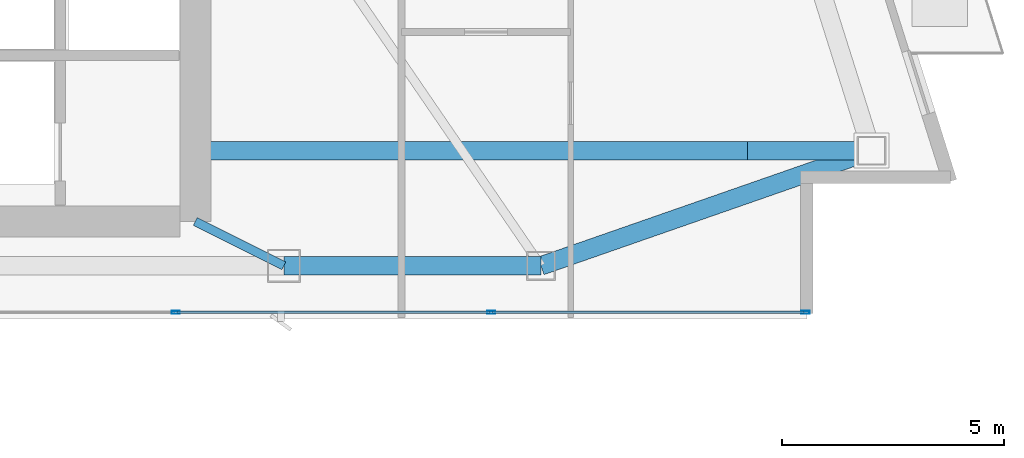
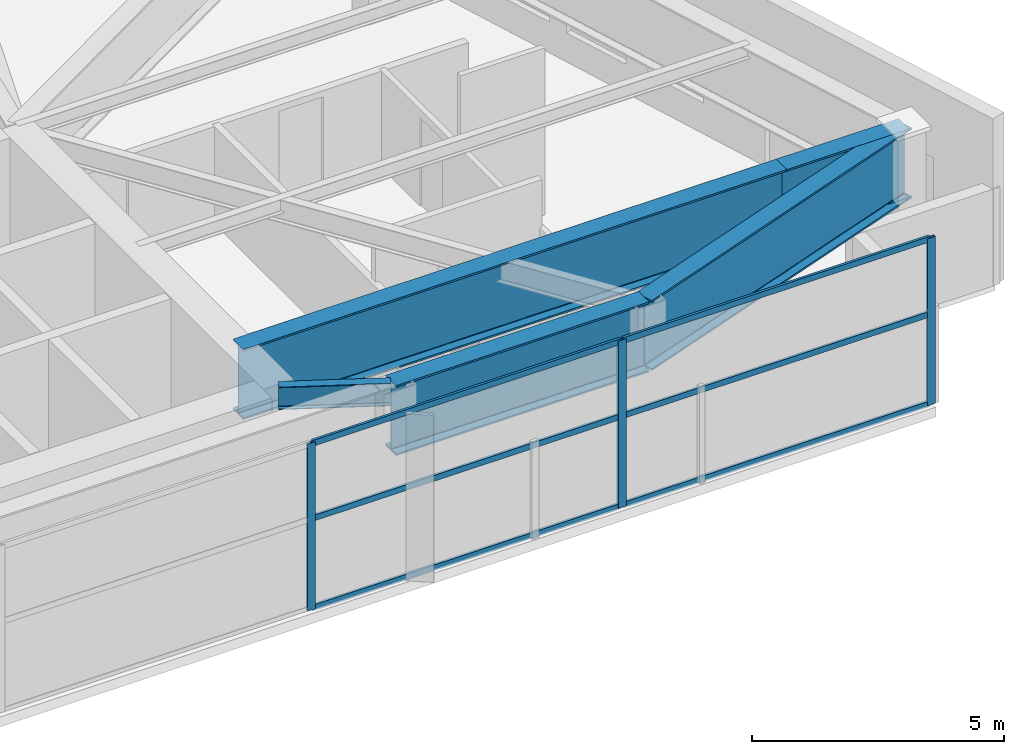
# One storey, part 13 of 27: 9 members, 5 beams, 1 element without a shape of its own.
"""IFC4 building model written with IfcOpenShell, lengths in metres."""

import ifcopenshell
import ifcopenshell.guid

model = None  # the IFC model being written
_history = None  # IfcOwnerHistory: only IFC2X3 demands one
_inside = {}  # id of a spatial element -> (the spatial element, [elements in it])
_under = {}  # id of a project, library or spatial element -> (it, [spatial elements below it])
_declared = {}  # id of a project -> (the project, [libraries it declares])
_typed = {}  # id of a type object -> (the type object, [elements of that type])
_made_of = {}  # id of a material, layer set ... -> (it, [elements and type objects made of it])


def new_model(schema):
    """Start an empty IFC model of exactly this schema.

    Asked for "IFC4X3", IfcOpenShell would pick the latest addendum, in which some entities
    have other attributes; the version numbers below select the first issue.
    IFC2X3 requires an IfcOwnerHistory on every rooted entity: one is made here for all.
    """
    global model, _history
    if schema == "IFC4X3":
        model = ifcopenshell.file(schema_version=(4, 3, 0, 0))
    else:
        model = ifcopenshell.file(schema=schema)
    _inside.clear()
    _under.clear()
    _declared.clear()
    _typed.clear()
    _made_of.clear()
    _history = None
    if model.schema == "IFC2X3":
        org = make("IfcOrganization", Name="unknown")
        user = make(
            "IfcPersonAndOrganization",
            ThePerson=make("IfcPerson", FamilyName="unknown"),
            TheOrganization=org,
        )
        app = make(
            "IfcApplication",
            ApplicationDeveloper=org,
            Version="unknown",
            ApplicationFullName="unknown",
            ApplicationIdentifier="unknown",
        )
        _history = make(
            "IfcOwnerHistory",
            OwningUser=user,
            OwningApplication=app,
            ChangeAction="ADDED",
            CreationDate=0,
        )
    return model


def make(cls, **values):
    """One entity of the class cls with the attributes given. An attribute that is None is left unset."""
    return model.create_entity(
        cls, **{name: value for name, value in values.items() if value is not None}
    )


def rooted(cls, **values):
    """An entity with a GlobalId (a new one), such as an element, a storey or a relation."""
    return make(cls, GlobalId=ifcopenshell.guid.new(), OwnerHistory=_history, **values)


def si_unit(unit_type, name, prefix=None):
    """IfcSIUnit, for example si_unit("LENGTHUNIT", "METRE", prefix="MILLI")."""
    return make("IfcSIUnit", UnitType=unit_type, Prefix=prefix, Name=name)


def assignment(units):
    """IfcUnitAssignment: the units of a project."""
    return None if units is None else make("IfcUnitAssignment", Units=units)


def point(xyz):
    """IfcCartesianPoint."""
    return None if xyz is None else make("IfcCartesianPoint", Coordinates=xyz)


def direction(xyz):
    """IfcDirection."""
    return None if xyz is None else make("IfcDirection", DirectionRatios=xyz)


def frame(location, z_axis=None, x_axis=None):
    """IfcAxis2Placement3D, a coordinate frame: its origin and axes. An axis left out is left unset."""
    return make(
        "IfcAxis2Placement3D",
        Location=point(location),
        Axis=direction(z_axis),
        RefDirection=direction(x_axis),
    )


def frame_2d(location, x_axis=None):
    """IfcAxis2Placement2D, a coordinate frame in the plane: its origin and x axis."""
    return make(
        "IfcAxis2Placement2D", Location=point(location), RefDirection=direction(x_axis)
    )


def origin():
    """The frame at (0, 0, 0) with its axes left unset."""
    return frame((0.0, 0.0, 0.0))


def origin_2d():
    """The frame at (0, 0) in the plane with its x axis left unset."""
    return frame_2d((0.0, 0.0))


def place(relative_to, where):
    """IfcLocalPlacement: puts the frame where relative to a parent placement (None: the world)."""
    return make(
        "IfcLocalPlacement", PlacementRelTo=relative_to, RelativePlacement=where
    )


def context(
    kind, dimensions, precision=None, world=None, true_north=None, identifier=None
):
    """IfcGeometricRepresentationContext, for example the 3D "Model" context."""
    return make(
        "IfcGeometricRepresentationContext",
        ContextIdentifier=identifier,
        ContextType=kind,
        CoordinateSpaceDimension=dimensions,
        Precision=precision,
        WorldCoordinateSystem=world,
        TrueNorth=true_north,
    )


def subcontext(parent, identifier, kind, view, scale=None):
    """IfcGeometricRepresentationSubContext, for example "Body" below "Model"."""
    return make(
        "IfcGeometricRepresentationSubContext",
        ContextIdentifier=identifier,
        ContextType=kind,
        ParentContext=parent,
        TargetScale=scale,
        TargetView=view,
    )


def project(units=None, contexts=None):
    """IfcProject with its units and contexts."""
    return rooted(
        "IfcProject",
        Name="project",
        RepresentationContexts=contexts,
        UnitsInContext=assignment(units),
    )


def spatial(cls, under=None, at=None, **own):
    """A site, building, storey or space (cls), placed at a placement, below another one or the project."""
    s = rooted(cls, ObjectPlacement=at, **own)
    if under is not None:
        _under.setdefault(under.id(), (under, []))[1].append(s)
    return s


def profile(cls, at=None, kind="AREA", **sizes):
    """A parametric profile (cls). Its sizes go by their IFC names, for example OverallWidth=200.0."""
    return make(cls, ProfileType=kind, Position=at, **sizes)


def hollow_rectangle(**sizes):
    """IfcRectangleHollowProfileDef."""
    return profile("IfcRectangleHollowProfileDef", **sizes)


def i_section(**sizes):
    """IfcIShapeProfileDef."""
    return profile("IfcIShapeProfileDef", **sizes)


def extrude(swept, where, along, depth):
    """IfcExtrudedAreaSolid: the profile swept, set in the frame where, extruded along a direction by depth."""
    return make(
        "IfcExtrudedAreaSolid",
        SweptArea=swept,
        Position=where,
        ExtrudedDirection=direction(along),
        Depth=depth,
    )


def shape(context_of_items, identifier, shape_type, items):
    """IfcShapeRepresentation: the items that make up one representation, for example the "Body"."""
    return make(
        "IfcShapeRepresentation",
        ContextOfItems=context_of_items,
        RepresentationIdentifier=identifier,
        RepresentationType=shape_type,
        Items=items,
    )


def material(Name=None, Category=None):
    """IfcMaterial."""
    return make("IfcMaterial", Name=Name, Category=Category)


def layer(
    of_material, thickness, ventilated=None, Name=None, Category=None, Priority=None
):
    """IfcMaterialLayer: one layer of a wall or slab, of a material (None: an air gap)."""
    return make(
        "IfcMaterialLayer",
        Material=of_material,
        LayerThickness=thickness,
        IsVentilated=ventilated,
        Name=Name,
        Category=Category,
        Priority=Priority,
    )


def layer_set(layers, Name=None):
    """IfcMaterialLayerSet."""
    return make("IfcMaterialLayerSet", MaterialLayers=layers, LayerSetName=Name)


def material_profile(
    of_material, cross_section, Name=None, Category=None, Priority=None
):
    """IfcMaterialProfile: a cross section and its material."""
    return make(
        "IfcMaterialProfile",
        Name=Name,
        Material=of_material,
        Profile=cross_section,
        Priority=Priority,
        Category=Category,
    )


def profile_set(profiles, Name=None, composite=None):
    """IfcMaterialProfileSet."""
    return make(
        "IfcMaterialProfileSet",
        Name=Name,
        MaterialProfiles=profiles,
        CompositeProfile=composite,
    )


def made_of(thing, what):
    """Note that an element or type object is made of a material, layer set ...; save() writes the relation."""
    if what is not None:
        _made_of.setdefault(what.id(), (what, []))[1].append(thing)
    return thing


def type_object(cls, material=None, **own):
    """A type object (cls), such as IfcWallType, which elements share."""
    return made_of(rooted(cls, **own), material)


def element(
    cls,
    number,
    at=None,
    inside=None,
    cuts=None,
    type_object=None,
    material=None,
    context=None,
    identifier="Body",
    shape_type=None,
    held_by="IfcProductDefinitionShape",
    body=None,
    shapes=None,
    **own,
):
    """One element of the class cls, such as IfcWall. Its Tag is "e" and its number.

    at: its placement. inside: the storey or other place that contains it. cuts: it is an
    opening in that element (IfcRelVoidsElement). A single representation is given by context,
    identifier, shape_type and body (its items); several are given by shapes. held_by: the class
    of the entity that holds the representations. save() writes the other relations.
    """
    e = rooted(cls, Tag="e%d" % number, ObjectPlacement=at, **own)
    if body is not None:
        shapes = [shape(context, identifier, shape_type, body)]
    if shapes is not None:
        e.Representation = make(held_by, Representations=shapes)
    if inside is not None:
        _inside.setdefault(inside.id(), (inside, []))[1].append(e)
    if cuts is not None:
        rooted(
            "IfcRelVoidsElement", RelatingBuildingElement=cuts, RelatedOpeningElement=e
        )
    if type_object is not None:
        _typed.setdefault(type_object.id(), (type_object, []))[1].append(e)
    return made_of(e, material)


def aggregate(whole, parts):
    """IfcRelAggregates: a whole, such as a stair, and the parts it consists of."""
    return rooted("IfcRelAggregates", RelatingObject=whole, RelatedObjects=parts)


def save(model, path):
    """Write the relations noted so far, then the file.

    IfcRelAggregates (storeys below a building ...), IfcRelContainedInSpatialStructure (elements
    in a storey), IfcRelDefinesByType, IfcRelAssociatesMaterial and IfcRelDeclares: one each for
    every whole, place, type object, material and project.
    """
    for whole, parts in _under.values():
        aggregate(whole, parts)
    for where, things in _inside.values():
        rooted(
            "IfcRelContainedInSpatialStructure",
            RelatedElements=things,
            RelatingStructure=where,
        )
    for kind, things in _typed.values():
        rooted("IfcRelDefinesByType", RelatedObjects=things, RelatingType=kind)
    for what, things in _made_of.values():
        rooted("IfcRelAssociatesMaterial", RelatedObjects=things, RelatingMaterial=what)
    for by, libraries in _declared.values():
        rooted("IfcRelDeclares", RelatingContext=by, RelatedDefinitions=libraries)
    model.write(path)


model = new_model("IFC4")

# Units and contexts
model_context = context("Model", 3, precision=1e-05, world=origin(), true_north=direction((0.0, 1.0)))
body_context = subcontext(model_context, "Body", "Model", "MODEL_VIEW")
ifc_project = project(units=[si_unit("LENGTHUNIT", "METRE"), si_unit("AREAUNIT", "SQUARE_METRE"), si_unit("VOLUMEUNIT", "CUBIC_METRE"), si_unit("PLANEANGLEUNIT", "RADIAN"), si_unit("MASSUNIT", "GRAM", prefix="KILO")], contexts=[model_context])

# Site, building, storey
site_placement = place(None, origin())
site = spatial("IfcSite", under=ifc_project, at=site_placement, CompositionType="ELEMENT")
building_placement = place(site_placement, origin())
building = spatial("IfcBuilding", under=site, at=building_placement, Name="Calvorn Quay Hotel", CompositionType="ELEMENT")
storey_placement = place(building_placement, frame((0.0, 0.0, 239.300048828125)))
storey = spatial("IfcBuildingStorey", under=building, at=storey_placement, Name="L59", CompositionType="ELEMENT", Elevation=239.300048828125)

# Beams
ifc_material_1 = material(Name="Steel Q355B", Category="steel")
ifc_material_profile_1 = material_profile(ifc_material_1, i_section(OverallWidth=0.199951171875, OverallDepth=0.550048828125, WebThickness=0.010009765625, FlangeThickness=0.01611328125, FilletRadius=0.01806640625, at=origin_2d()), Name="HN550x200x10x16")
ifc_profile_set_1 = profile_set([ifc_material_profile_1], Name="Steel Q355B")
beam_type_1 = type_object("IfcBeamType", Name="BM-GIRD-UPP", PredefinedType="BEAM", material=ifc_profile_set_1)
beam_1_placement = place(storey_placement, frame((34.39990234375, 3.60009765625, 3.77490234375), z_axis=(-0.894427191, 0.4472135955, 0.0), x_axis=(-0.4472135955, -0.894427191, 0.0)))
element("IfcBeam", 1, at=beam_1_placement, inside=storey, type_object=beam_type_1, Name="Beam BG-L59-S3", PredefinedType="BEAM", context=body_context, shape_type="SweptSolid", body=[
    extrude(i_section(OverallWidth=0.199951171875, OverallDepth=0.550048828125, WebThickness=0.010009765625, FlangeThickness=0.01611328125, FilletRadius=0.01806640625, at=origin_2d()), origin(), (0.0, 0.0, 1.0), 2.236083984375),
])
ifc_material_2 = material(Name="Steel Q420GJC", Category="steel")
ifc_material_profile_2 = material_profile(ifc_material_2, i_section(OverallWidth=0.419921875, OverallDepth=1.699951171875, WebThickness=0.02392578125, FlangeThickness=0.0419921875, FilletRadius=0.02392578125, at=origin_2d()), Name="HN1700x420x24x42")
ifc_profile_set_2 = profile_set([ifc_material_profile_2], Name="Steel Q420GJC")
beam_type_2 = type_object("IfcBeamType", Name="BM-XFER-SAWTOOTH", PredefinedType="BEAM", material=ifc_profile_set_2)
beam_2_placement = place(storey_placement, frame((32.39990234375, 6.199951171875, 3.199951171875), z_axis=(1.0, 0.0, 0.0), x_axis=(0.0, 1.0, 0.0)))
element("IfcBeam", 2, at=beam_2_placement, inside=storey, type_object=beam_type_2, Name="Beam BTG-L59-C-ET1A", PredefinedType="BEAM", context=body_context, shape_type="SweptSolid", body=[
    extrude(i_section(OverallWidth=0.419921875, OverallDepth=1.699951171875, WebThickness=0.02392578125, FlangeThickness=0.0419921875, FilletRadius=0.02392578125, at=origin_2d()), origin(), (0.0, 0.0, 1.0), 12.461181640625),
])
beam_3_placement = place(storey_placement, frame((44.861083984375, 6.199951171875, 3.199951171875), z_axis=(1.0, 0.0, 0.0), x_axis=(0.0, 1.0, 0.0)))
element("IfcBeam", 3, at=beam_3_placement, inside=storey, type_object=beam_type_2, Name="Beam BTG-L59-C-ET1B", PredefinedType="BEAM", context=body_context, shape_type="SweptSolid", body=[
    extrude(i_section(OverallWidth=0.419921875, OverallDepth=1.699951171875, WebThickness=0.02392578125, FlangeThickness=0.0419921875, FilletRadius=0.02392578125, at=origin_2d()), origin(), (0.0, 0.0, 1.0), 2.7998046875),
])
beam_4_placement = place(storey_placement, frame((34.39990234375, 3.60009765625, 3.199951171875), z_axis=(1.0, 0.0, 0.0), x_axis=(0.0, 1.0, 0.0)))
element("IfcBeam", 4, at=beam_4_placement, inside=storey, type_object=beam_type_2, Name="Beam BSP-L59-S4", PredefinedType="BEAM", context=body_context, shape_type="SweptSolid", body=[
    extrude(i_section(OverallWidth=0.419921875, OverallDepth=1.699951171875, WebThickness=0.02392578125, FlangeThickness=0.0419921875, FilletRadius=0.02392578125, at=origin_2d()), origin(), (0.0, 0.0, 1.0), 5.800048828125),
])
beam_5_placement = place(storey_placement, frame((40.199951171875, 3.60009765625, 3.199951171875), z_axis=(0.944310305586, 0.329056297257, 0.0), x_axis=(-0.329056297257, 0.944310305586, 0.0)))
element("IfcBeam", 5, at=beam_5_placement, inside=storey, type_object=beam_type_2, Name="Beam BSP-L59-S5", PredefinedType="BEAM", context=body_context, shape_type="SweptSolid", body=[
    extrude(i_section(OverallWidth=0.419921875, OverallDepth=1.699951171875, WebThickness=0.02392578125, FlangeThickness=0.0419921875, FilletRadius=0.02392578125, at=origin_2d()), origin(), (0.0, 0.0, 1.0), 7.90087890625),
])

# Curtain wall, members
ifc_material_3 = material(Name="Champagne Bronze Anodised Aluminium and Low-E Glass", Category="aluminium")
ifc_layer = layer(ifc_material_3, 0.219970703125)
ifc_layer_set = layer_set([ifc_layer], Name="CW-SYS-Z3")
curtain_wall_type = type_object("IfcCurtainWallType", Name="CW-SYS-Z3", PredefinedType="NOTDEFINED", material=ifc_layer_set)
curtain_wall_placement = place(storey_placement, origin())
curtain_wall = element("IfcCurtainWall", 6, at=curtain_wall_placement, inside=storey, type_object=curtain_wall_type, Name="Tower South Waterfront Curtain Wall (L59)", PredefinedType="NOTDEFINED")
ifc_material_4 = material(Name="Champagne Bronze Anodised Aluminium 6063-T6", Category="aluminium")
ifc_material_profile_3 = material_profile(ifc_material_4, hollow_rectangle(XDim=0.068115234375, YDim=0.18505859375, WallThickness=0.00390625, at=origin_2d()), Name="ALU-M185x68x4")
ifc_profile_set_3 = profile_set([ifc_material_profile_3], Name="Champagne Bronze Anodised Aluminium 6063-T6")
member_type_1 = type_object("IfcMemberType", Name="CW-SYS-Z3-MUL", PredefinedType="MULLION", material=ifc_profile_set_3)
member_1_placement = place(storey_placement, frame((31.9599609375, 2.550048828125, 0.0), z_axis=(0.0, 0.0, 1.0), x_axis=(0.0, 1.0, 0.0)))
member_1 = element("IfcMember", 7, at=member_1_placement, type_object=member_type_1, Name="CW-L59-S mullion 4", PredefinedType="MULLION", context=body_context, shape_type="SweptSolid", body=[
    extrude(hollow_rectangle(XDim=0.068115234375, YDim=0.18505859375, WallThickness=0.00390625, at=origin_2d()), origin(), (0.0, 0.0, 1.0), 4.050048828125),
])
member_2_placement = place(storey_placement, frame((39.080078125, 2.550048828125, 0.0), z_axis=(0.0, 0.0, 1.0), x_axis=(0.0, 1.0, 0.0)))
member_2 = element("IfcMember", 8, at=member_2_placement, type_object=member_type_1, Name="CW-L59-S mullion 5", PredefinedType="MULLION", context=body_context, shape_type="SweptSolid", body=[
    extrude(hollow_rectangle(XDim=0.068115234375, YDim=0.18505859375, WallThickness=0.00390625, at=origin_2d()), origin(), (0.0, 0.0, 1.0), 4.050048828125),
])
member_3_placement = place(storey_placement, frame((46.169921875, 2.550048828125, 0.0), z_axis=(0.0, 0.0, 1.0), x_axis=(0.0, 1.0, 0.0)))
member_3 = element("IfcMember", 9, at=member_3_placement, type_object=member_type_1, Name="CW-L59-S mullion 6", PredefinedType="MULLION", context=body_context, shape_type="SweptSolid", body=[
    extrude(hollow_rectangle(XDim=0.068115234375, YDim=0.18505859375, WallThickness=0.00390625, at=origin_2d()), origin(), (0.0, 0.0, 1.0), 4.050048828125),
])
ifc_material_5 = material(Name="Champagne Bronze Anodised Aluminium 6063-T6", Category="aluminium")
ifc_material_profile_4 = material_profile(ifc_material_5, hollow_rectangle(XDim=0.05810546875, YDim=0.139892578125, WallThickness=0.003173828125, at=origin_2d()), Name="ALU-T140x58x3.2")
ifc_profile_set_4 = profile_set([ifc_material_profile_4], Name="Champagne Bronze Anodised Aluminium 6063-T6")
member_type_2 = type_object("IfcMemberType", Name="CW-SYS-Z3-TRN", PredefinedType="USERDEFINED", material=ifc_profile_set_4)
member_4_placement = place(storey_placement, frame((31.989990234375, 2.550048828125, 0.030029296875), z_axis=(1.0, 0.0, 0.0), x_axis=(0.0, 1.0, 0.0)))
member_4 = element("IfcMember", 10, at=member_4_placement, type_object=member_type_2, Name="CW-L59-S transom 4.1", ObjectType="TRANSOM", PredefinedType="USERDEFINED", context=body_context, shape_type="SweptSolid", body=[
    extrude(hollow_rectangle(XDim=0.05810546875, YDim=0.139892578125, WallThickness=0.003173828125, at=origin_2d()), origin(), (0.0, 0.0, 1.0), 7.06005859375),
])
member_5_placement = place(storey_placement, frame((31.989990234375, 2.550048828125, 2.199951171875), z_axis=(1.0, 0.0, 0.0), x_axis=(0.0, 1.0, 0.0)))
member_5 = element("IfcMember", 11, at=member_5_placement, type_object=member_type_2, Name="CW-L59-S transom 4.2", ObjectType="TRANSOM", PredefinedType="USERDEFINED", context=body_context, shape_type="SweptSolid", body=[
    extrude(hollow_rectangle(XDim=0.05810546875, YDim=0.139892578125, WallThickness=0.003173828125, at=origin_2d()), origin(), (0.0, 0.0, 1.0), 7.06005859375),
])
member_6_placement = place(storey_placement, frame((31.989990234375, 2.550048828125, 4.02001953125), z_axis=(1.0, 0.0, 0.0), x_axis=(0.0, 1.0, 0.0)))
member_6 = element("IfcMember", 12, at=member_6_placement, type_object=member_type_2, Name="CW-L59-S transom 4.3", ObjectType="TRANSOM", PredefinedType="USERDEFINED", context=body_context, shape_type="SweptSolid", body=[
    extrude(hollow_rectangle(XDim=0.05810546875, YDim=0.139892578125, WallThickness=0.003173828125, at=origin_2d()), origin(), (0.0, 0.0, 1.0), 7.06005859375),
])
member_7_placement = place(storey_placement, frame((39.110107421875, 2.550048828125, 0.030029296875), z_axis=(1.0, 0.0, 0.0), x_axis=(0.0, 1.0, 0.0)))
member_7 = element("IfcMember", 13, at=member_7_placement, type_object=member_type_2, Name="CW-L59-S transom 5.1", ObjectType="TRANSOM", PredefinedType="USERDEFINED", context=body_context, shape_type="SweptSolid", body=[
    extrude(hollow_rectangle(XDim=0.05810546875, YDim=0.139892578125, WallThickness=0.003173828125, at=origin_2d()), origin(), (0.0, 0.0, 1.0), 7.02978515625),
])
member_8_placement = place(storey_placement, frame((39.110107421875, 2.550048828125, 2.199951171875), z_axis=(1.0, 0.0, 0.0), x_axis=(0.0, 1.0, 0.0)))
member_8 = element("IfcMember", 14, at=member_8_placement, type_object=member_type_2, Name="CW-L59-S transom 5.2", ObjectType="TRANSOM", PredefinedType="USERDEFINED", context=body_context, shape_type="SweptSolid", body=[
    extrude(hollow_rectangle(XDim=0.05810546875, YDim=0.139892578125, WallThickness=0.003173828125, at=origin_2d()), origin(), (0.0, 0.0, 1.0), 7.02978515625),
])
member_9_placement = place(storey_placement, frame((39.110107421875, 2.550048828125, 4.02001953125), z_axis=(1.0, 0.0, 0.0), x_axis=(0.0, 1.0, 0.0)))
member_9 = element("IfcMember", 15, at=member_9_placement, type_object=member_type_2, Name="CW-L59-S transom 5.3", ObjectType="TRANSOM", PredefinedType="USERDEFINED", context=body_context, shape_type="SweptSolid", body=[
    extrude(hollow_rectangle(XDim=0.05810546875, YDim=0.139892578125, WallThickness=0.003173828125, at=origin_2d()), origin(), (0.0, 0.0, 1.0), 7.02978515625),
])
aggregate(curtain_wall, [member_1, member_2, member_3, member_4, member_5, member_6, member_7, member_8, member_9])

save(model, "model.ifc")
